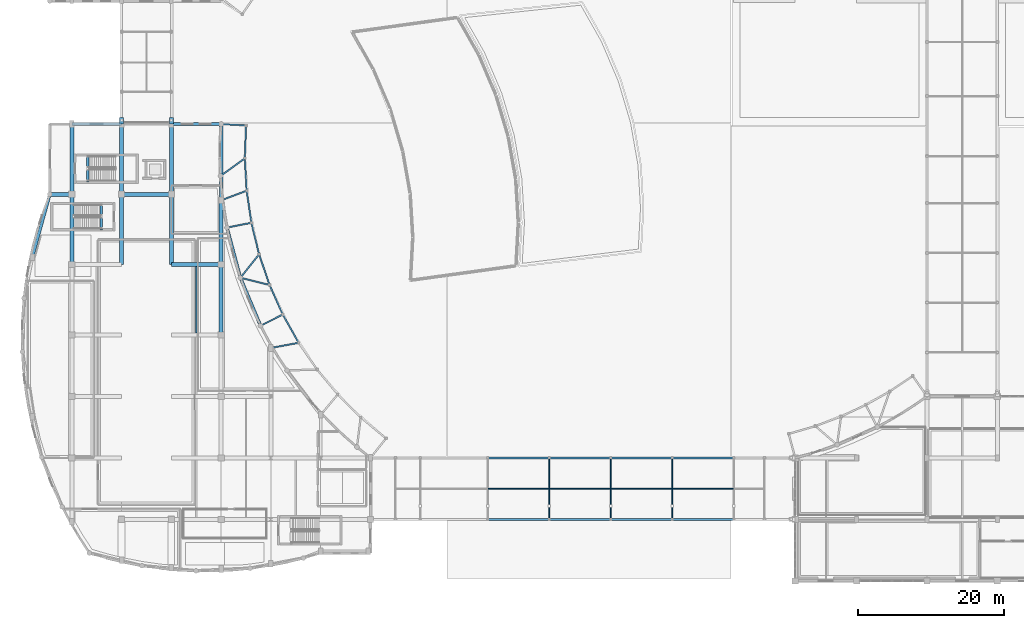
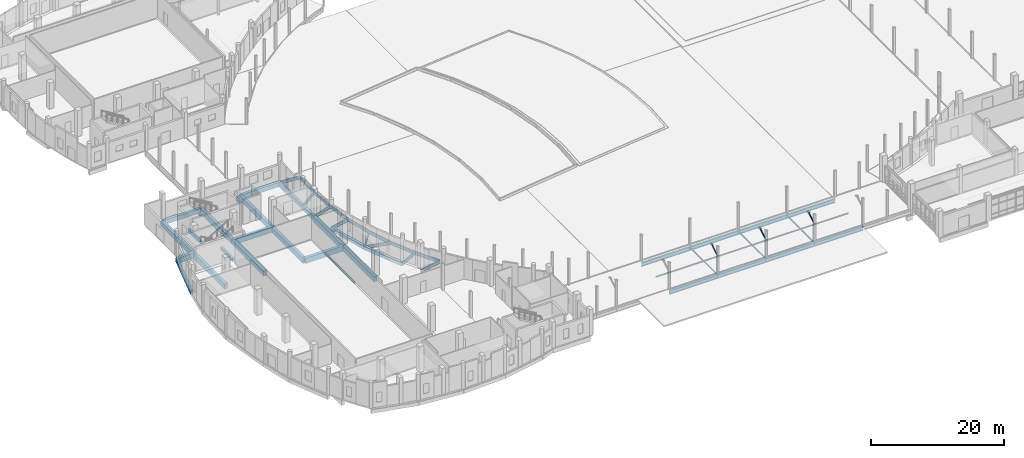
# One storey, part 21 of 97: 52 beams, 3 members.
"""IFC4 building model written with IfcOpenShell, lengths in metres."""

from ifc_helpers import new_model, si_unit, direction, frame, origin, origin_2d, place, context, subcontext, project, spatial, rectangle, hollow_rectangle, i_section, extrude, material, material_profile, profile_set, type_object, element, save


model = new_model("IFC4")

# Units and contexts
model_context = context("Model", 3, precision=1e-05, world=origin(), true_north=direction((0.0, 1.0)))
body_context = subcontext(model_context, "Body", "Model", "MODEL_VIEW")
ifc_project = project(units=[si_unit("LENGTHUNIT", "METRE"), si_unit("AREAUNIT", "SQUARE_METRE"), si_unit("VOLUMEUNIT", "CUBIC_METRE"), si_unit("PLANEANGLEUNIT", "RADIAN"), si_unit("MASSUNIT", "GRAM", prefix="KILO")], contexts=[model_context])

# Site, building, storey
site_placement = place(None, origin())
site = spatial("IfcSite", under=ifc_project, at=site_placement, CompositionType="ELEMENT")
building_placement = place(site_placement, origin())
building = spatial("IfcBuilding", under=site, at=building_placement, Name="Kisaragi Civic Commons", CompositionType="ELEMENT")
storey_placement = place(building_placement, origin())
storey = spatial("IfcBuildingStorey", under=building, at=storey_placement, Name="L00", CompositionType="ELEMENT", Elevation=0.0)

# Beams
ifc_material_1 = material(Name="Concrete Fc36", Category="concrete")
ifc_material_profile_1 = material_profile(ifc_material_1, rectangle(XDim=0.550048828125, YDim=0.85009765625, at=origin_2d()), Name="RC-550x850", Category="concrete")
ifc_profile_set_1 = profile_set([ifc_material_profile_1], Name="Concrete Fc36")
beam_type_1 = type_object("IfcBeamType", Name="CB-01", PredefinedType="BEAM", material=ifc_profile_set_1)
for number, where, z_axis, x_axis, name in (
    (1, (13.60009765625, 62.39990234375, -1.530029296875), (0.0, 1.0, 0.0), (-1.0, 0.0, 0.0), "BR-V2-V1 L00 seismic corbel 50"),
    (2, (20.39990234375, 62.39990234375, -1.530029296875), (0.0, 1.0, 0.0), (-1.0, 0.0, 0.0), "BR-V2-V1 L00 seismic corbel 55"),
):
    element("IfcBeam", number, at=place(storey_placement, frame(where, z_axis=z_axis, x_axis=x_axis)), inside=storey, type_object=beam_type_1, Name=name, PredefinedType="BEAM", context=body_context, shape_type="SweptSolid", body=[
        extrude(rectangle(XDim=0.550048828125, YDim=0.85009765625, at=origin_2d()), origin(), (0.0, 0.0, 1.0), 0.8701171875),
    ])
ifc_material_profile_2 = material_profile(ifc_material_1, rectangle(XDim=0.550048828125, YDim=0.949951171875, at=origin_2d()), Name="RC-550x950", Category="concrete")
ifc_profile_set_2 = profile_set([ifc_material_profile_2], Name="Concrete Fc36")
beam_type_2 = type_object("IfcBeamType", Name="G-01", PredefinedType="BEAM", material=ifc_profile_set_2)
beam_1_placement = place(storey_placement, frame((20.39990234375, 43.199951171875, -0.81494140625), z_axis=(1.0, 0.0, 0.0), x_axis=(0.0, 1.0, 0.0)))
element("IfcBeam", 3, at=beam_1_placement, inside=storey, type_object=beam_type_2, Name="L00 girder G-01 17", PredefinedType="BEAM", context=body_context, shape_type="SweptSolid", body=[
    extrude(rectangle(XDim=0.550048828125, YDim=0.949951171875, at=origin_2d()), origin(), (0.0, 0.0, 1.0), 6.800048828125),
])
beam_2_placement = place(storey_placement, frame((3.800048828125, 52.800048828125, -0.81494140625), z_axis=(1.0, 0.0, 0.0), x_axis=(0.0, 1.0, 0.0)))
element("IfcBeam", 4, at=beam_2_placement, inside=storey, type_object=beam_type_2, Name="L00 girder G-01 18", PredefinedType="BEAM", context=body_context, shape_type="SweptSolid", body=[
    extrude(rectangle(XDim=0.550048828125, YDim=0.949951171875, at=origin_2d()), origin(), (0.0, 0.0, 1.0), 3.0),
])
beam_3_placement = place(storey_placement, frame((13.60009765625, 52.800048828125, -0.81494140625), z_axis=(1.0, 0.0, 0.0), x_axis=(0.0, 1.0, 0.0)))
element("IfcBeam", 5, at=beam_3_placement, inside=storey, type_object=beam_type_2, Name="L00 girder G-01 19", PredefinedType="BEAM", context=body_context, shape_type="SweptSolid", body=[
    extrude(rectangle(XDim=0.550048828125, YDim=0.949951171875, at=origin_2d()), origin(), (0.0, 0.0, 1.0), 6.7998046875),
])
beam_4_placement = place(storey_placement, frame((6.800048828125, 43.199951171875, -0.81494140625), z_axis=(0.0, 1.0, 0.0), x_axis=(-1.0, 0.0, 0.0)))
element("IfcBeam", 6, at=beam_4_placement, inside=storey, type_object=beam_type_2, Name="L00 girder G-01 26", PredefinedType="BEAM", context=body_context, shape_type="SweptSolid", body=[
    extrude(rectangle(XDim=0.550048828125, YDim=0.949951171875, at=origin_2d()), origin(), (0.0, 0.0, 1.0), 9.60009765625),
])
beam_5_placement = place(storey_placement, frame((6.800048828125, 52.800048828125, -0.81494140625), z_axis=(0.0, 1.0, 0.0), x_axis=(-1.0, 0.0, 0.0)))
element("IfcBeam", 7, at=beam_5_placement, inside=storey, type_object=beam_type_2, Name="L00 girder G-01 27", PredefinedType="BEAM", context=body_context, shape_type="SweptSolid", body=[
    extrude(rectangle(XDim=0.550048828125, YDim=0.949951171875, at=origin_2d()), origin(), (0.0, 0.0, 1.0), 9.599853515625),
])
beam_6_placement = place(storey_placement, frame((13.60009765625, 43.199951171875, -0.81494140625), z_axis=(0.0, 1.0, 0.0), x_axis=(-1.0, 0.0, 0.0)))
element("IfcBeam", 8, at=beam_6_placement, inside=storey, type_object=beam_type_2, Name="L00 girder G-01 28", PredefinedType="BEAM", context=body_context, shape_type="SweptSolid", body=[
    extrude(rectangle(XDim=0.550048828125, YDim=0.949951171875, at=origin_2d()), origin(), (0.0, 0.0, 1.0), 9.60009765625),
])
beam_7_placement = place(storey_placement, frame((13.60009765625, 52.800048828125, -0.81494140625), z_axis=(0.0, 1.0, 0.0), x_axis=(-1.0, 0.0, 0.0)))
element("IfcBeam", 9, at=beam_7_placement, inside=storey, type_object=beam_type_2, Name="L00 girder G-01 29", PredefinedType="BEAM", context=body_context, shape_type="SweptSolid", body=[
    extrude(rectangle(XDim=0.550048828125, YDim=0.949951171875, at=origin_2d()), origin(), (0.0, 0.0, 1.0), 9.599853515625),
])
beam_8_placement = place(storey_placement, frame((20.39990234375, 43.199951171875, -0.81494140625), z_axis=(0.0, 1.0, 0.0), x_axis=(-1.0, 0.0, 0.0)))
element("IfcBeam", 10, at=beam_8_placement, inside=storey, type_object=beam_type_2, Name="L00 girder G-01 30", PredefinedType="BEAM", context=body_context, shape_type="SweptSolid", body=[
    extrude(rectangle(XDim=0.550048828125, YDim=0.949951171875, at=origin_2d()), origin(), (0.0, 0.0, 1.0), 9.60009765625),
])
for number, where, z_axis, x_axis, name in (
    (11, (20.39990234375, 52.800048828125, -0.81494140625), (0.0, 1.0, 0.0), (-1.0, 0.0, 0.0), "L00 girder G-01 31"),
    (12, (27.199951171875, 33.60009765625, -0.81494140625), (0.0, 1.0, 0.0), (-1.0, 0.0, 0.0), "L00 girder G-01 34"),
):
    element("IfcBeam", number, at=place(storey_placement, frame(where, z_axis=z_axis, x_axis=x_axis)), inside=storey, type_object=beam_type_2, Name=name, PredefinedType="BEAM", context=body_context, shape_type="SweptSolid", body=[
        extrude(rectangle(XDim=0.550048828125, YDim=0.949951171875, at=origin_2d()), origin(), (0.0, 0.0, 1.0), 9.599853515625),
    ])
beam_9_placement = place(storey_placement, frame((27.199951171875, 43.199951171875, -0.81494140625), z_axis=(0.0, 1.0, 0.0), x_axis=(-1.0, 0.0, 0.0)))
element("IfcBeam", 13, at=beam_9_placement, inside=storey, type_object=beam_type_2, Name="L00 girder G-01 35", PredefinedType="BEAM", context=body_context, shape_type="SweptSolid", body=[
    extrude(rectangle(XDim=0.550048828125, YDim=0.949951171875, at=origin_2d()), origin(), (0.0, 0.0, 1.0), 8.779052734375),
])
ifc_material_2 = material(Name="Steel SN490 (SN490B)", Category="steel")
ifc_material_profile_3 = material_profile(ifc_material_2, i_section(OverallWidth=0.300048828125, OverallDepth=0.699951171875, WebThickness=0.012939453125, FlangeThickness=0.02392578125, FilletRadius=0.01806640625, at=origin_2d()), Name="H-700x300x13x24", Category="steel")
ifc_profile_set_3 = profile_set([ifc_material_profile_3], Name="Steel SN490 (SN490B)")
beam_type_3 = type_object("IfcBeamType", Name="G-09", PredefinedType="BEAM", material=ifc_profile_set_3)
for number, where, z_axis, x_axis, name in (
    (14, (63.60009765625, 8.39990234375, -0.68994140625), (1.0, 0.0, 0.0), (0.0, 1.0, 0.0), "BR-V1-V3 L00 bridge girder 172"),
    (15, (72.0, 8.39990234375, -0.68994140625), (1.0, 0.0, 0.0), (0.0, 1.0, 0.0), "BR-V1-V3 L00 bridge girder 173"),
):
    element("IfcBeam", number, at=place(storey_placement, frame(where, z_axis=z_axis, x_axis=x_axis)), inside=storey, type_object=beam_type_3, Name=name, PredefinedType="BEAM", context=body_context, shape_type="SweptSolid", body=[
        extrude(i_section(OverallWidth=0.300048828125, OverallDepth=0.699951171875, WebThickness=0.012939453125, FlangeThickness=0.02392578125, FilletRadius=0.01806640625, at=origin_2d()), origin(), (0.0, 0.0, 1.0), 8.39990234375),
    ])
beam_10_placement = place(storey_placement, frame((80.39990234375, 8.39990234375, -0.68994140625), z_axis=(1.0, 0.0, 0.0), x_axis=(0.0, 1.0, 0.0)))
element("IfcBeam", 16, at=beam_10_placement, inside=storey, type_object=beam_type_3, Name="BR-V1-V3 L00 bridge girder 174", PredefinedType="BEAM", context=body_context, shape_type="SweptSolid", body=[
    extrude(i_section(OverallWidth=0.300048828125, OverallDepth=0.699951171875, WebThickness=0.012939453125, FlangeThickness=0.02392578125, FilletRadius=0.01806640625, at=origin_2d()), origin(), (0.0, 0.0, 1.0), 8.400146484375),
])
for number, where, z_axis, x_axis, name in (
    (17, (88.800048828125, 8.39990234375, -0.68994140625), (1.0, 0.0, 0.0), (0.0, 1.0, 0.0), "BR-V1-V3 L00 bridge girder 175"),
    (18, (63.60009765625, 16.800048828125, -0.68994140625), (1.0, 0.0, 0.0), (0.0, 1.0, 0.0), "BR-V1-V3 L00 bridge girder 182"),
    (19, (72.0, 16.800048828125, -0.68994140625), (1.0, 0.0, 0.0), (0.0, 1.0, 0.0), "BR-V1-V3 L00 bridge girder 183"),
):
    element("IfcBeam", number, at=place(storey_placement, frame(where, z_axis=z_axis, x_axis=x_axis)), inside=storey, type_object=beam_type_3, Name=name, PredefinedType="BEAM", context=body_context, shape_type="SweptSolid", body=[
        extrude(i_section(OverallWidth=0.300048828125, OverallDepth=0.699951171875, WebThickness=0.012939453125, FlangeThickness=0.02392578125, FilletRadius=0.01806640625, at=origin_2d()), origin(), (0.0, 0.0, 1.0), 8.39990234375),
    ])
beam_11_placement = place(storey_placement, frame((80.39990234375, 16.800048828125, -0.68994140625), z_axis=(1.0, 0.0, 0.0), x_axis=(0.0, 1.0, 0.0)))
element("IfcBeam", 20, at=beam_11_placement, inside=storey, type_object=beam_type_3, Name="BR-V1-V3 L00 bridge girder 184", PredefinedType="BEAM", context=body_context, shape_type="SweptSolid", body=[
    extrude(i_section(OverallWidth=0.300048828125, OverallDepth=0.699951171875, WebThickness=0.012939453125, FlangeThickness=0.02392578125, FilletRadius=0.01806640625, at=origin_2d()), origin(), (0.0, 0.0, 1.0), 8.400146484375),
])
beam_12_placement = place(storey_placement, frame((88.800048828125, 16.800048828125, -0.68994140625), z_axis=(1.0, 0.0, 0.0), x_axis=(0.0, 1.0, 0.0)))
element("IfcBeam", 21, at=beam_12_placement, inside=storey, type_object=beam_type_3, Name="BR-V1-V3 L00 bridge girder 185", PredefinedType="BEAM", context=body_context, shape_type="SweptSolid", body=[
    extrude(i_section(OverallWidth=0.300048828125, OverallDepth=0.699951171875, WebThickness=0.012939453125, FlangeThickness=0.02392578125, FilletRadius=0.01806640625, at=origin_2d()), origin(), (0.0, 0.0, 1.0), 8.39990234375),
])
ifc_material_profile_4 = material_profile(ifc_material_2, i_section(OverallWidth=0.199951171875, OverallDepth=0.60009765625, WebThickness=0.010986328125, FlangeThickness=0.01708984375, FilletRadius=0.012939453125, at=origin_2d()), Name="H-600x200x11x17", Category="steel")
ifc_profile_set_4 = profile_set([ifc_material_profile_4], Name="Steel SN490 (SN490B)")
beam_type_4 = type_object("IfcBeamType", Name="G-10", PredefinedType="BEAM", material=ifc_profile_set_4)
beam_13_placement = place(storey_placement, frame((30.594482421875, 62.204345703125, -0.639892578125), z_axis=(-0.035455614562, -0.999371252036, 0.0), x_axis=(0.999371252036, -0.035455614562, 0.0)))
element("IfcBeam", 22, at=beam_13_placement, inside=storey, type_object=beam_type_4, Name="VER-V1 L00 edge beam 1", PredefinedType="BEAM", context=body_context, shape_type="SweptSolid", body=[
    extrude(i_section(OverallWidth=0.199951171875, OverallDepth=0.60009765625, WebThickness=0.010986328125, FlangeThickness=0.01708984375, FilletRadius=0.012939453125, at=origin_2d()), origin(), (0.0, 0.0, 1.0), 4.50341796875),
])
beam_14_placement = place(storey_placement, frame((30.434814453125, 57.703857421875, -0.639892578125), z_axis=(0.056264321908, -0.998415908367, 0.0), x_axis=(0.998415908367, 0.056264321908, 0.0)))
element("IfcBeam", 23, at=beam_14_placement, inside=storey, type_object=beam_type_4, Name="VER-V1 L00 edge beam 2", PredefinedType="BEAM", context=body_context, shape_type="SweptSolid", body=[
    extrude(i_section(OverallWidth=0.199951171875, OverallDepth=0.60009765625, WebThickness=0.010986328125, FlangeThickness=0.01708984375, FilletRadius=0.012939453125, at=origin_2d()), origin(), (0.0, 0.0, 1.0), 4.426025390625),
])
beam_15_placement = place(storey_placement, frame((30.683837890625, 53.284912109375, -0.639892578125), z_axis=(0.146848543221, -0.989158988916, 0.0), x_axis=(0.989158988916, 0.146848543221, 0.0)))
element("IfcBeam", 24, at=beam_15_placement, inside=storey, type_object=beam_type_4, Name="VER-V1 L00 edge beam 3", PredefinedType="BEAM", context=body_context, shape_type="SweptSolid", body=[
    extrude(i_section(OverallWidth=0.199951171875, OverallDepth=0.60009765625, WebThickness=0.010986328125, FlangeThickness=0.01708984375, FilletRadius=0.012939453125, at=origin_2d()), origin(), (0.0, 0.0, 1.0), 4.42578125),
])
beam_16_placement = place(storey_placement, frame((31.333740234375, 48.9072265625, -0.639892578125), z_axis=(0.236196746667, -0.971705252051, 0.0), x_axis=(0.971705252051, 0.236196746667, 0.0)))
element("IfcBeam", 25, at=beam_16_placement, inside=storey, type_object=beam_type_4, Name="VER-V1 L00 edge beam 4", PredefinedType="BEAM", context=body_context, shape_type="SweptSolid", body=[
    extrude(i_section(OverallWidth=0.199951171875, OverallDepth=0.60009765625, WebThickness=0.010986328125, FlangeThickness=0.01708984375, FilletRadius=0.012939453125, at=origin_2d()), origin(), (0.0, 0.0, 1.0), 4.426025390625),
])
for number, where, z_axis, x_axis, name in (
    (26, (32.379150390625, 44.6064453125, -0.639892578125), (0.323648691031, -0.946177322067, 0.0), (0.946177322067, 0.323648691031, 0.0), "VER-V1 L00 edge beam 5"),
    (27, (33.8115234375, 40.4189453125, -0.639892578125), (0.408363640954, -0.912819334122, 0.0), (0.912819334122, 0.408363640954, 0.0), "VER-V1 L00 edge beam 6"),
    (28, (35.618896484375, 36.37890625, -0.639892578125), (0.489679711912, -0.871902391178, 0.0), (0.871902391178, 0.489679711912, 0.0), "VER-V1 L00 edge beam 7"),
):
    element("IfcBeam", number, at=place(storey_placement, frame(where, z_axis=z_axis, x_axis=x_axis)), inside=storey, type_object=beam_type_4, Name=name, PredefinedType="BEAM", context=body_context, shape_type="SweptSolid", body=[
        extrude(i_section(OverallWidth=0.199951171875, OverallDepth=0.60009765625, WebThickness=0.010986328125, FlangeThickness=0.01708984375, FilletRadius=0.012939453125, at=origin_2d()), origin(), (0.0, 0.0, 1.0), 4.42578125),
    ])
beam_17_placement = place(storey_placement, frame((30.594482421875, 62.204345703125, -0.639892578125), z_axis=(-0.99834470217, 0.057513960475, 0.0), x_axis=(-0.057513960475, -0.99834470217, 0.0)))
element("IfcBeam", 29, at=beam_17_placement, inside=storey, type_object=beam_type_4, Name="VER-V1 L00 radial tie 12", PredefinedType="BEAM", context=body_context, shape_type="SweptSolid", body=[
    extrude(i_section(OverallWidth=0.199951171875, OverallDepth=0.60009765625, WebThickness=0.010986328125, FlangeThickness=0.01708984375, FilletRadius=0.012939453125, at=origin_2d()), origin(), (0.0, 0.0, 1.0), 3.400146484375),
])
beam_18_placement = place(storey_placement, frame((30.434814453125, 57.703857421875, -0.639892578125), z_axis=(-0.810034798604, -0.586381808254, 0.0), x_axis=(0.586381808254, -0.810034798604, 0.0)))
element("IfcBeam", 30, at=beam_18_placement, inside=storey, type_object=beam_type_4, Name="VER-V1 L00 radial tie 13", PredefinedType="BEAM", context=body_context, shape_type="SweptSolid", body=[
    extrude(i_section(OverallWidth=0.199951171875, OverallDepth=0.60009765625, WebThickness=0.010986328125, FlangeThickness=0.01708984375, FilletRadius=0.012939453125, at=origin_2d()), origin(), (0.0, 0.0, 1.0), 4.098876953125),
])
beam_19_placement = place(storey_placement, frame((30.683837890625, 53.284912109375, -0.639892578125), z_axis=(-0.936377708423, -0.350993998764, 0.0), x_axis=(0.350993998764, -0.936377708423, 0.0)))
element("IfcBeam", 31, at=beam_19_placement, inside=storey, type_object=beam_type_4, Name="VER-V1 L00 radial tie 14", PredefinedType="BEAM", context=body_context, shape_type="SweptSolid", body=[
    extrude(i_section(OverallWidth=0.199951171875, OverallDepth=0.60009765625, WebThickness=0.010986328125, FlangeThickness=0.01708984375, FilletRadius=0.012939453125, at=origin_2d()), origin(), (0.0, 0.0, 1.0), 3.720703125),
])
beam_20_placement = place(storey_placement, frame((31.333740234375, 48.9072265625, -0.639892578125), z_axis=(-0.98144909004, -0.191722934621, 0.0), x_axis=(0.191722934621, -0.98144909004, 0.0)))
element("IfcBeam", 32, at=beam_20_placement, inside=storey, type_object=beam_type_4, Name="VER-V1 L00 radial tie 15", PredefinedType="BEAM", context=body_context, shape_type="SweptSolid", body=[
    extrude(i_section(OverallWidth=0.199951171875, OverallDepth=0.60009765625, WebThickness=0.010986328125, FlangeThickness=0.01708984375, FilletRadius=0.012939453125, at=origin_2d()), origin(), (0.0, 0.0, 1.0), 3.39990234375),
])
for number, where, z_axis, x_axis, name in (
    (33, (32.379150390625, 44.6064453125, -0.639892578125), (-0.621748921978, -0.783216622666, 0.0), (0.783216622666, -0.621748921978, 0.0), "VER-V1 L00 radial tie 16"),
    (34, (33.8115234375, 40.4189453125, -0.639892578125), (-0.971177554888, 0.238357204383, 0.0), (-0.238357204383, -0.971177554888, 0.0), "VER-V1 L00 radial tie 17"),
):
    element("IfcBeam", number, at=place(storey_placement, frame(where, z_axis=z_axis, x_axis=x_axis)), inside=storey, type_object=beam_type_4, Name=name, PredefinedType="BEAM", context=body_context, shape_type="SweptSolid", body=[
        extrude(i_section(OverallWidth=0.199951171875, OverallDepth=0.60009765625, WebThickness=0.010986328125, FlangeThickness=0.01708984375, FilletRadius=0.012939453125, at=origin_2d()), origin(), (0.0, 0.0, 1.0), 4.09912109375),
    ])
beam_21_placement = place(storey_placement, frame((35.618896484375, 36.37890625, -0.639892578125), z_axis=(-0.893275332233, -0.449509934066, 0.0), x_axis=(0.449509934066, -0.893275332233, 0.0)))
element("IfcBeam", 35, at=beam_21_placement, inside=storey, type_object=beam_type_4, Name="VER-V1 L00 radial tie 18", PredefinedType="BEAM", context=body_context, shape_type="SweptSolid", body=[
    extrude(i_section(OverallWidth=0.199951171875, OverallDepth=0.60009765625, WebThickness=0.010986328125, FlangeThickness=0.01708984375, FilletRadius=0.012939453125, at=origin_2d()), origin(), (0.0, 0.0, 1.0), 3.39990234375),
])
beam_22_placement = place(storey_placement, frame((37.7861328125, 32.52001953125, -0.639892578125), z_axis=(-0.982926676265, -0.183997687722, 0.0), x_axis=(0.183997687722, -0.982926676265, 0.0)))
element("IfcBeam", 36, at=beam_22_placement, inside=storey, type_object=beam_type_4, Name="VER-V1 L00 radial tie 19", PredefinedType="BEAM", context=body_context, shape_type="SweptSolid", body=[
    extrude(i_section(OverallWidth=0.199951171875, OverallDepth=0.60009765625, WebThickness=0.010986328125, FlangeThickness=0.01708984375, FilletRadius=0.012939453125, at=origin_2d()), origin(), (0.0, 0.0, 1.0), 3.851806640625),
])
ifc_material_3 = material(Name="Concrete Fc30", Category="concrete")
ifc_material_profile_5 = material_profile(ifc_material_3, rectangle(XDim=0.35009765625, YDim=0.60009765625, at=origin_2d()), Name="RC-350x600", Category="concrete")
ifc_profile_set_5 = profile_set([ifc_material_profile_5], Name="Concrete Fc30")
beam_type_5 = type_object("IfcBeamType", Name="G-14", PredefinedType="BEAM", material=ifc_profile_set_5)
beam_23_placement = place(storey_placement, frame((9.0, 54.449951171875, -0.300048828125), z_axis=(0.0, 1.0, 0.0), x_axis=(-1.0, 0.0, 0.0)))
element("IfcBeam", 37, at=beam_23_placement, inside=storey, type_object=beam_type_5, Name="ST-M1 L00 stair landing trimmer beam", PredefinedType="BEAM", context=body_context, shape_type="SweptSolid", body=[
    extrude(rectangle(XDim=0.35009765625, YDim=0.60009765625, at=origin_2d()), origin(), (0.0, 0.0, 1.0), 3.699951171875),
])
beam_24_placement = place(storey_placement, frame((10.85009765625, 51.550048828125, -0.300048828125), z_axis=(0.0, -1.0, 0.0), x_axis=(1.0, 0.0, 0.0)))
element("IfcBeam", 38, at=beam_24_placement, inside=storey, type_object=beam_type_5, Name="ST-M3 L00 stair landing trimmer beam", PredefinedType="BEAM", context=body_context, shape_type="SweptSolid", body=[
    extrude(rectangle(XDim=0.35009765625, YDim=0.60009765625, at=origin_2d()), origin(), (0.0, 0.0, 1.0), 3.60009765625),
])
ifc_material_4 = material(Name="Steel SN400 (SN400B)", Category="steel")
ifc_material_profile_6 = material_profile(ifc_material_4, i_section(OverallWidth=0.175048828125, OverallDepth=0.35009765625, WebThickness=0.007080078125, FlangeThickness=0.010986328125, FilletRadius=0.012939453125, at=origin_2d()), Name="H-350x175x7x11", Category="steel")
ifc_profile_set_6 = profile_set([ifc_material_profile_6], Name="Steel SN400 (SN400B)")
beam_type_6 = type_object("IfcBeamType", Name="J-02", PredefinedType="JOIST", material=ifc_profile_set_6)
beam_25_placement = place(storey_placement, frame((23.800048828125, 33.875, -0.514892578125), z_axis=(0.0, 1.0, 0.0), x_axis=(-1.0, 0.0, 0.0)))
element("IfcBeam", 39, at=beam_25_placement, inside=storey, type_object=beam_type_6, Name="L00 secondary steel joist J-02 7", PredefinedType="JOIST", context=body_context, shape_type="SweptSolid", body=[
    extrude(i_section(OverallWidth=0.175048828125, OverallDepth=0.35009765625, WebThickness=0.007080078125, FlangeThickness=0.010986328125, FilletRadius=0.012939453125, at=origin_2d()), origin(), (0.0, 0.0, 1.0), 9.050048828125),
])
ifc_material_profile_7 = material_profile(ifc_material_4, i_section(OverallWidth=0.125, OverallDepth=0.25, WebThickness=0.006103515625, FlangeThickness=0.009033203125, FilletRadius=0.008056640625, at=origin_2d()), Name="H-250x125x6x9", Category="steel")
ifc_profile_set_7 = profile_set([ifc_material_profile_7], Name="Steel SN400 (SN400B)")
beam_type_7 = type_object("IfcBeamType", Name="J-05", PredefinedType="JOIST", material=ifc_profile_set_7)
for number, where, z_axis, x_axis, name in (
    (40, (72.0, 8.39990234375, -0.465087890625), (0.0, 1.0, 0.0), (-1.0, 0.0, 0.0), "BR-V1-V3 L00 cross joist 192"),
    (41, (80.39990234375, 8.39990234375, -0.465087890625), (0.0, 1.0, 0.0), (-1.0, 0.0, 0.0), "BR-V1-V3 L00 cross joist 193"),
    (42, (88.800048828125, 8.39990234375, -0.465087890625), (0.0, 1.0, 0.0), (-1.0, 0.0, 0.0), "BR-V1-V3 L00 cross joist 194"),
):
    element("IfcBeam", number, at=place(storey_placement, frame(where, z_axis=z_axis, x_axis=x_axis)), inside=storey, type_object=beam_type_7, Name=name, PredefinedType="JOIST", context=body_context, shape_type="SweptSolid", body=[
        extrude(i_section(OverallWidth=0.125, OverallDepth=0.25, WebThickness=0.006103515625, FlangeThickness=0.009033203125, FilletRadius=0.008056640625, at=origin_2d()), origin(), (0.0, 0.0, 1.0), 8.400146484375),
    ])
for number, where, z_axis, x_axis, name in (
    (43, (63.66259765625, 12.60009765625, -0.465087890625), (1.0, 0.0, 0.0), (0.0, 1.0, 0.0), "BR-V1-V3 L00 spine joist 199"),
    (44, (72.0625, 12.60009765625, -0.465087890625), (1.0, 0.0, 0.0), (0.0, 1.0, 0.0), "BR-V1-V3 L00 spine joist 200"),
):
    element("IfcBeam", number, at=place(storey_placement, frame(where, z_axis=z_axis, x_axis=x_axis)), inside=storey, type_object=beam_type_7, Name=name, PredefinedType="JOIST", context=body_context, shape_type="SweptSolid", body=[
        extrude(i_section(OverallWidth=0.125, OverallDepth=0.25, WebThickness=0.006103515625, FlangeThickness=0.009033203125, FilletRadius=0.008056640625, at=origin_2d()), origin(), (0.0, 0.0, 1.0), 8.27490234375),
    ])
beam_26_placement = place(storey_placement, frame((80.46240234375, 12.60009765625, -0.465087890625), z_axis=(1.0, 0.0, 0.0), x_axis=(0.0, 1.0, 0.0)))
element("IfcBeam", 45, at=beam_26_placement, inside=storey, type_object=beam_type_7, Name="BR-V1-V3 L00 spine joist 201", PredefinedType="JOIST", context=body_context, shape_type="SweptSolid", body=[
    extrude(i_section(OverallWidth=0.125, OverallDepth=0.25, WebThickness=0.006103515625, FlangeThickness=0.009033203125, FilletRadius=0.008056640625, at=origin_2d()), origin(), (0.0, 0.0, 1.0), 8.275146484375),
])
beam_27_placement = place(storey_placement, frame((88.862548828125, 12.60009765625, -0.465087890625), z_axis=(1.0, 0.0, 0.0), x_axis=(0.0, 1.0, 0.0)))
element("IfcBeam", 46, at=beam_27_placement, inside=storey, type_object=beam_type_7, Name="BR-V1-V3 L00 spine joist 202", PredefinedType="JOIST", context=body_context, shape_type="SweptSolid", body=[
    extrude(i_section(OverallWidth=0.125, OverallDepth=0.25, WebThickness=0.006103515625, FlangeThickness=0.009033203125, FilletRadius=0.008056640625, at=origin_2d()), origin(), (0.0, 0.0, 1.0), 8.27490234375),
])
ifc_material_profile_8 = material_profile(ifc_material_3, rectangle(XDim=0.449951171875, YDim=0.800048828125, at=origin_2d()), Name="RC-450x800", Category="concrete")
ifc_profile_set_8 = profile_set([ifc_material_profile_8], Name="Concrete Fc30")
beam_type_8 = type_object("IfcBeamType", Name="SPB-01", PredefinedType="SPANDREL", material=ifc_profile_set_8)
for number, where, z_axis, x_axis, name in (
    (47, (6.800048828125, 62.39990234375, -0.739990234375), (1.0, 0.0, 0.0), (0.0, 1.0, 0.0), "L00 girder SPB-01 20"),
    (48, (20.39990234375, 62.39990234375, -0.739990234375), (1.0, 0.0, 0.0), (0.0, 1.0, 0.0), "L00 girder SPB-01 21"),
):
    element("IfcBeam", number, at=place(storey_placement, frame(where, z_axis=z_axis, x_axis=x_axis)), inside=storey, type_object=beam_type_8, Name=name, PredefinedType="SPANDREL", context=body_context, shape_type="SweptSolid", body=[
        extrude(rectangle(XDim=0.449951171875, YDim=0.800048828125, at=origin_2d()), origin(), (0.0, 0.0, 1.0), 6.800048828125),
    ])
beam_28_placement = place(storey_placement, frame((27.199951171875, 51.97900390625, -0.739990234375), z_axis=(0.0, 1.0, 0.0), x_axis=(-1.0, 0.0, 0.0)))
element("IfcBeam", 49, at=beam_28_placement, inside=storey, type_object=beam_type_8, Name="L00 girder SPB-01 36", PredefinedType="SPANDREL", context=body_context, shape_type="SweptSolid", body=[
    extrude(rectangle(XDim=0.449951171875, YDim=0.800048828125, at=origin_2d()), origin(), (0.0, 0.0, 1.0), 10.4208984375),
])
ifc_material_profile_9 = material_profile(ifc_material_3, rectangle(XDim=0.39990234375, YDim=0.64990234375, at=origin_2d()), Name="RC-400x650", Category="concrete")
ifc_profile_set_9 = profile_set([ifc_material_profile_9], Name="Concrete Fc30")
beam_type_9 = type_object("IfcBeamType", Name="SPB-02", PredefinedType="SPANDREL", material=ifc_profile_set_9)
beam_29_placement = place(storey_placement, frame((27.996826171875, 48.25537109375, -0.6650390625), z_axis=(0.258263977371, -0.966074385331, 0.0), x_axis=(0.966074385331, 0.258263977371, 0.0)))
element("IfcBeam", 50, at=beam_29_placement, inside=storey, type_object=beam_type_9, Name="L00 curved spandrel/ring girder SPB-02 39", PredefinedType="SPANDREL", context=body_context, shape_type="SweptSolid", body=[
    extrude(rectangle(XDim=0.39990234375, YDim=0.64990234375, at=origin_2d()), origin(), (0.0, 0.0, 1.0), 7.100341796875),
])
beam_30_placement = place(storey_placement, frame((29.83056640625, 41.39599609375, -0.6650390625), z_axis=(0.387489687919, -0.921874037901, 0.0), x_axis=(0.921874037901, 0.387489687919, 0.0)))
element("IfcBeam", 51, at=beam_30_placement, inside=storey, type_object=beam_type_9, Name="L00 curved spandrel/ring girder SPB-02 40", PredefinedType="SPANDREL", context=body_context, shape_type="SweptSolid", body=[
    extrude(rectangle(XDim=0.39990234375, YDim=0.64990234375, at=origin_2d()), origin(), (0.0, 0.0, 1.0), 7.10009765625),
])
beam_31_placement = place(storey_placement, frame((3.800048828125, 52.800048828125, -0.6650390625), z_axis=(-0.268592060061, -0.963254019079, 0.0), x_axis=(0.963254019079, -0.268592060061, 0.0)))
element("IfcBeam", 52, at=beam_31_placement, inside=storey, type_object=beam_type_9, Name="L00 curved spandrel/ring girder SPB-02 43", PredefinedType="SPANDREL", context=body_context, shape_type="SweptSolid", body=[
    extrude(rectangle(XDim=0.39990234375, YDim=0.64990234375, at=origin_2d()), origin(), (0.0, 0.0, 1.0), 8.93603515625),
])

# Members
ifc_material_5 = material(Name="Steel STKR400", Category="steel")
ifc_material_profile_10 = material_profile(ifc_material_5, hollow_rectangle(XDim=0.14990234375, YDim=0.14990234375, WallThickness=0.006103515625, InnerFilletRadius=0.006103515625, OuterFilletRadius=0.011962890625, at=origin_2d()), Name="STKR-150x150x6", Category="steel")
ifc_profile_set_10 = profile_set([ifc_material_profile_10], Name="Steel STKR400")
member_type = type_object("IfcMemberType", Name="ST-C1", PredefinedType="STRUT", material=ifc_profile_set_10)
for number, where, z_axis, x_axis, name in (
    (53, (72.0, 8.39990234375, 3.0), (0.0, 0.853267529787, 0.521473415057), (-1.0, 0.0, 0.0), "Entrance canopy knee-brace strut 3"),
    (54, (80.39990234375, 8.39990234375, 3.0), (0.0, 0.853267529787, 0.521473415057), (-1.0, 0.0, 0.0), "Entrance canopy knee-brace strut 4"),
    (55, (88.800048828125, 8.39990234375, 3.0), (0.0, 0.853267529787, 0.521473415057), (-1.0, 0.0, 0.0), "Entrance canopy knee-brace strut 5"),
):
    element("IfcMember", number, at=place(storey_placement, frame(where, z_axis=z_axis, x_axis=x_axis)), inside=storey, type_object=member_type, Name=name, PredefinedType="STRUT", context=body_context, shape_type="SweptSolid", body=[
        extrude(hollow_rectangle(XDim=0.14990234375, YDim=0.14990234375, WallThickness=0.006103515625, InnerFilletRadius=0.006103515625, OuterFilletRadius=0.011962890625, at=origin_2d()), origin(), (0.0, 0.0, 1.0), 2.109619140625),
    ])

save(model, "model.ifc")
